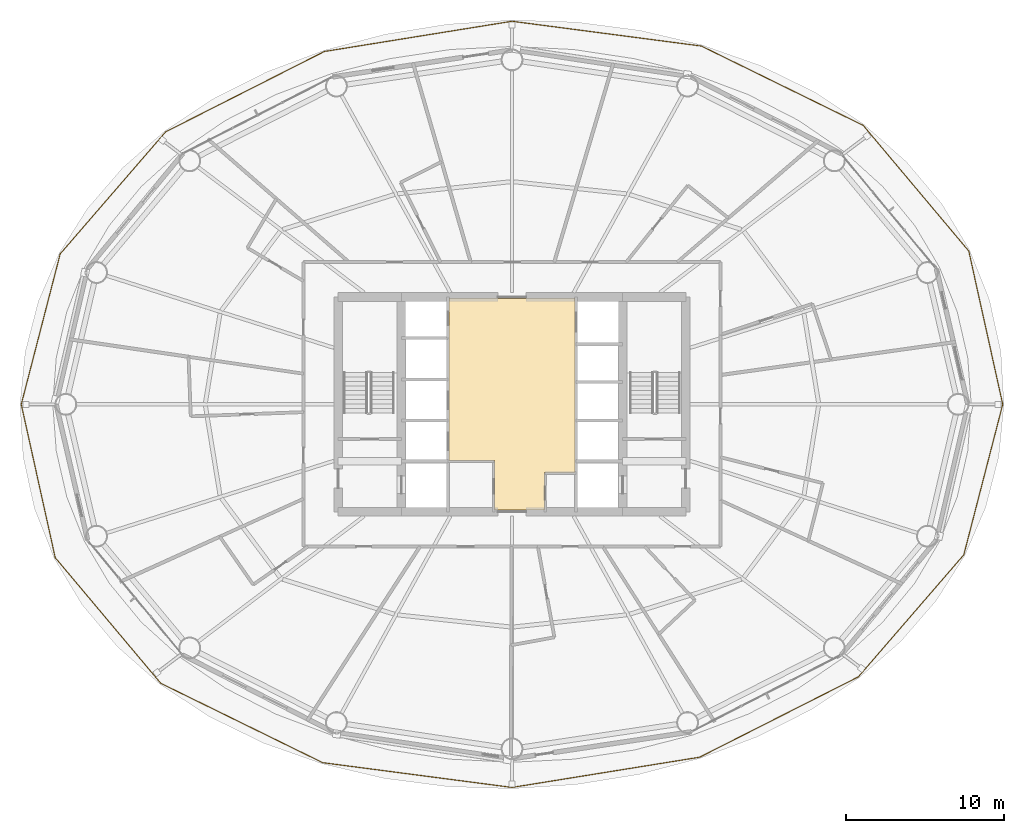
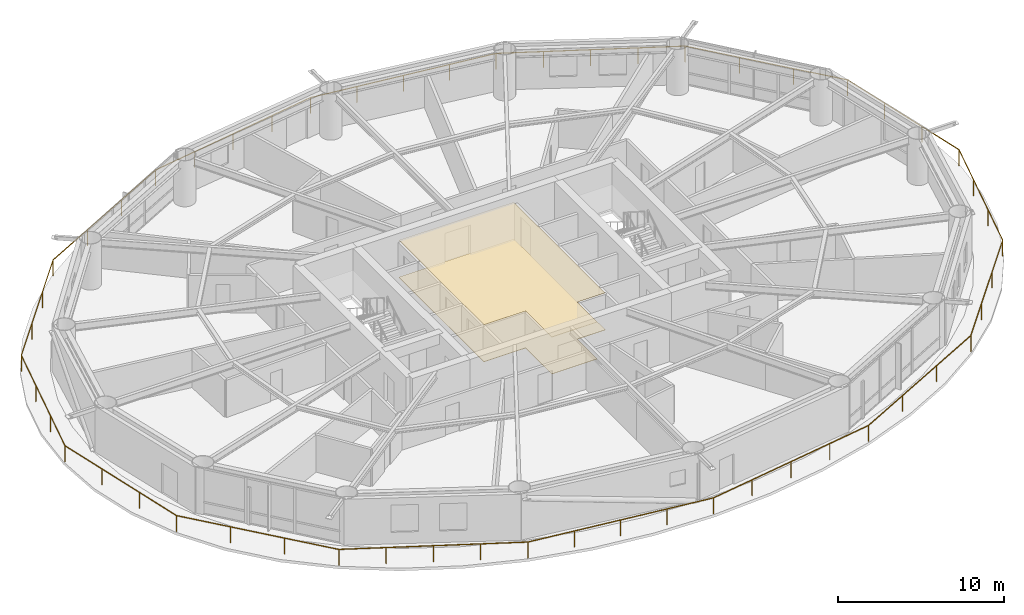
# One storey, part 23 of 24: 2 coverings, 1 railing.
"""IFC4 building model written with IfcOpenShell, lengths in metres."""

from ifc_helpers import new_model, si_unit, direction, frame, origin, origin_2d, place, context, subcontext, project, spatial, polyline, rectangle, outline, extrude, material, layer, layer_set, type_object, element, save


model = new_model("IFC4")

# Units and contexts
model_context = context("Model", 3, precision=1e-05, world=origin(), true_north=direction((0.0, 1.0)))
body_context = subcontext(model_context, "Body", "Model", "MODEL_VIEW")
ifc_project = project(units=[si_unit("LENGTHUNIT", "METRE"), si_unit("AREAUNIT", "SQUARE_METRE"), si_unit("VOLUMEUNIT", "CUBIC_METRE"), si_unit("PLANEANGLEUNIT", "RADIAN"), si_unit("MASSUNIT", "GRAM", prefix="KILO")], contexts=[model_context])

# Site, building, storey
site_placement = place(None, origin())
site = spatial("IfcSite", under=ifc_project, at=site_placement, CompositionType="ELEMENT")
building_placement = place(site_placement, origin())
building = spatial("IfcBuilding", under=site, at=building_placement, Name="Sarneth Arch Tower", CompositionType="ELEMENT")
storey_placement = place(building_placement, frame((0.0, 0.0, 123.60009765625)))
storey = spatial("IfcBuildingStorey", under=building, at=storey_placement, Name="L31", CompositionType="ELEMENT", Elevation=123.60009765625)

# Coverings
ifc_material_1 = material(Name="Perforated acoustic gypsum ceiling board")
ifc_layer_1 = layer(ifc_material_1, 0.02490234375)
ifc_layer_set_1 = layer_set([ifc_layer_1], Name="Perforated acoustic gypsum ceiling board")
covering_type_1 = type_object("IfcCoveringType", Name="COV-CEIL-GYP", PredefinedType="CEILING", material=ifc_layer_set_1)
covering_1_placement = place(storey_placement, frame((0.0, 0.0, 2.7099609375)))
element("IfcCovering", 1, at=covering_1_placement, inside=storey, type_object=covering_type_1, Name="L31 Lift lobby acoustic ceiling", PredefinedType="CEILING", context=body_context, shape_type="SweptSolid", body=[
    extrude(outline(polyline([(52.0, 37.699951171875), (50.050048828125, 37.699951171875), (50.050048828125, 35.300048828125), (46.89990234375, 35.300048828125), (46.89990234375, 38.449951171875), (44.0, 38.449951171875), (44.0, 48.699951171875), (52.0, 48.699951171875), (52.0, 37.699951171875)])), origin(), (0.0, 0.0, 1.0), 0.030029296875),
])
ifc_material_2 = material(Name="Honed granite stone flooring", Category="masonry")
ifc_layer_2 = layer(ifc_material_2, 0.030029296875)
ifc_layer_set_2 = layer_set([ifc_layer_2], Name="Honed granite stone flooring")
covering_type_2 = type_object("IfcCoveringType", Name="COV-FLR-STONE", PredefinedType="FLOORING", material=ifc_layer_set_2)
covering_2_placement = place(storey_placement, origin())
element("IfcCovering", 2, at=covering_2_placement, inside=storey, type_object=covering_type_2, Name="L31 Lift lobby granite flooring", PredefinedType="FLOORING", context=body_context, shape_type="SweptSolid", body=[
    extrude(outline(polyline([(52.0, 37.699951171875), (50.050048828125, 37.699951171875), (50.050048828125, 35.300048828125), (46.89990234375, 35.300048828125), (46.89990234375, 38.449951171875), (44.0, 38.449951171875), (44.0, 48.699951171875), (52.0, 48.699951171875), (52.0, 37.699951171875)])), origin(), (0.0, 0.0, 1.0), 0.02978515625),
])

# Railing
ifc_material_3 = material(Name="Laminated structural glass infill with Stainless Steel 316 top rail and posts", Category="steel")
railing_type = type_object("IfcRailingType", Name="RAIL-BALC-1200", PredefinedType="BALUSTRADE", material=ifc_material_3)
railing_placement = place(storey_placement, frame((79.057861328125, 42.0, 0.0)))
element("IfcRailing", 3, at=railing_placement, inside=storey, type_object=railing_type, Name="L31 Helical balcony glass balustrade", PredefinedType="BALUSTRADE", context=body_context, shape_type="SweptSolid", body=[
    extrude(rectangle(XDim=0.048095703125, YDim=0.048095703125, at=origin_2d()), frame((0.0, 0.0, 1.17578125), z_axis=(-0.21624870113, 0.976338311888, 0.0), x_axis=(-0.976338311888, -0.21624870113, 0.0)), (0.0, 0.0, 1.0), 9.93505859375),
    extrude(rectangle(XDim=0.048095703125, YDim=0.048095703125, at=origin_2d()), frame((-2.1484375, 9.699951171875, 1.17578125), z_axis=(-0.643170592298, 0.765722919341, 0.0), x_axis=(-0.765722919341, -0.643170592298, 0.0)), (0.0, 0.0, 1.0), 10.388916015625),
    extrude(rectangle(XDim=0.048095703125, YDim=0.048095703125, at=origin_2d()), frame((-8.830322265625, 17.655029296875, 1.17578125), z_axis=(-0.897909444668, 0.440180223518, 0.0), x_axis=(-0.440180223518, -0.897909444668, 0.0)), (0.0, 0.0, 1.0), 11.40771484375),
    extrude(rectangle(XDim=0.048095703125, YDim=0.048095703125, at=origin_2d()), frame((-19.073486328125, 22.676513671875, 1.17578125), z_axis=(-0.9915453554, 0.129760580245, 0.0), x_axis=(-0.129760580245, -0.9915453554, 0.0)), (0.0, 0.0, 1.0), 12.086669921875),
    extrude(rectangle(XDim=0.048095703125, YDim=0.048095703125, at=origin_2d()), frame((-31.057861328125, 24.244873046875, 1.17578125), z_axis=(-0.987259639436, -0.15911758024, 0.0), x_axis=(0.15911758024, -0.987259639436, 0.0)), (0.0, 0.0, 1.0), 12.029296875),
    extrude(rectangle(XDim=0.048095703125, YDim=0.048095703125, at=origin_2d()), frame((-42.933837890625, 22.330810546875, 1.17578125), z_axis=(-0.892173531232, -0.451692805088, 0.0), x_axis=(0.451692805088, -0.892173531232, 0.0)), (0.0, 0.0, 1.0), 11.257568359375),
    extrude(rectangle(XDim=0.048095703125, YDim=0.048095703125, at=origin_2d()), frame((-52.9775390625, 17.245849609375, 1.17578125), z_axis=(-0.653857114721, -0.756618049963, 0.0), x_axis=(0.756618049963, -0.653857114721, 0.0)), (0.0, 0.0, 1.0), 10.20654296875),
    extrude(rectangle(XDim=0.048095703125, YDim=0.048095703125, at=origin_2d()), frame((-59.651123046875, 9.5234375, 1.17578125), z_axis=(-0.250539237364, -0.968106445873, 0.0), x_axis=(0.968106445873, -0.250539237364, 0.0)), (0.0, 0.0, 1.0), 9.837158203125),
    extrude(rectangle(XDim=0.048095703125, YDim=0.048095703125, at=origin_2d()), frame((-62.11572265625, 0.0, 1.17578125), z_axis=(0.21624870113, -0.976338311888, 0.0), x_axis=(0.976338311888, 0.21624870113, 0.0)), (0.0, 0.0, 1.0), 9.93505859375),
    extrude(rectangle(XDim=0.048095703125, YDim=0.048095703125, at=origin_2d()), frame((-59.96728515625, -9.699951171875, 1.17578125), z_axis=(0.643170592298, -0.765722919341, 0.0), x_axis=(0.765722919341, 0.643170592298, 0.0)), (0.0, 0.0, 1.0), 10.388916015625),
    extrude(rectangle(XDim=0.048095703125, YDim=0.048095703125, at=origin_2d()), frame((-53.285400390625, -17.655029296875, 1.17578125), z_axis=(0.897909444668, -0.440180223518, 0.0), x_axis=(0.440180223518, 0.897909444668, 0.0)), (0.0, 0.0, 1.0), 11.40771484375),
    extrude(rectangle(XDim=0.048095703125, YDim=0.048095703125, at=origin_2d()), frame((-43.042236328125, -22.676513671875, 1.17578125), z_axis=(0.9915453554, -0.129760580245, 0.0), x_axis=(0.129760580245, 0.9915453554, 0.0)), (0.0, 0.0, 1.0), 12.086669921875),
    extrude(rectangle(XDim=0.048095703125, YDim=0.048095703125, at=origin_2d()), frame((-31.057861328125, -24.244873046875, 1.17578125), z_axis=(0.987259639436, 0.15911758024, 0.0), x_axis=(-0.15911758024, 0.987259639436, 0.0)), (0.0, 0.0, 1.0), 12.029296875),
    extrude(rectangle(XDim=0.048095703125, YDim=0.048095703125, at=origin_2d()), frame((-19.181884765625, -22.330810546875, 1.17578125), z_axis=(0.892173531232, 0.451692805088, 0.0), x_axis=(-0.451692805088, 0.892173531232, 0.0)), (0.0, 0.0, 1.0), 11.257568359375),
    extrude(rectangle(XDim=0.048095703125, YDim=0.048095703125, at=origin_2d()), frame((-9.13818359375, -17.245849609375, 1.17578125), z_axis=(0.653857114721, 0.756618049963, 0.0), x_axis=(-0.756618049963, 0.653857114721, 0.0)), (0.0, 0.0, 1.0), 10.20654296875),
    extrude(rectangle(XDim=0.048095703125, YDim=0.048095703125, at=origin_2d()), frame((-2.464599609375, -9.5234375, 1.17578125), z_axis=(0.250539237364, 0.968106445873, 0.0), x_axis=(-0.968106445873, 0.250539237364, 0.0)), (0.0, 0.0, 1.0), 9.837158203125),
    extrude(rectangle(XDim=0.0419921875, YDim=0.0419921875, at=origin_2d()), origin(), (0.0, 0.0, 1.0), 1.15185546875),
    extrude(rectangle(XDim=0.0419921875, YDim=0.0419921875, at=origin_2d()), frame((-0.716064453125, 3.2333984375, 0.0)), (0.0, 0.0, 1.0), 1.15185546875),
    extrude(rectangle(XDim=0.0419921875, YDim=0.0419921875, at=origin_2d()), frame((-1.432373046875, 6.466552734375, 0.0)), (0.0, 0.0, 1.0), 1.15185546875),
    extrude(rectangle(XDim=0.0419921875, YDim=0.0419921875, at=origin_2d()), frame((-2.1484375, 9.699951171875, 0.0)), (0.0, 0.0, 1.0), 1.15185546875),
    extrude(rectangle(XDim=0.0419921875, YDim=0.0419921875, at=origin_2d()), frame((-4.375732421875, 12.3515625, 0.0)), (0.0, 0.0, 1.0), 1.15185546875),
    extrude(rectangle(XDim=0.0419921875, YDim=0.0419921875, at=origin_2d()), frame((-6.60302734375, 15.00341796875, 0.0)), (0.0, 0.0, 1.0), 1.15185546875),
    extrude(rectangle(XDim=0.0419921875, YDim=0.0419921875, at=origin_2d()), frame((-8.830322265625, 17.655029296875, 0.0)), (0.0, 0.0, 1.0), 1.15185546875),
    extrude(rectangle(XDim=0.0419921875, YDim=0.0419921875, at=origin_2d()), frame((-11.39111328125, 18.910400390625, 0.0)), (0.0, 0.0, 1.0), 1.15185546875),
    extrude(rectangle(XDim=0.0419921875, YDim=0.0419921875, at=origin_2d()), frame((-13.951904296875, 20.165771484375, 0.0)), (0.0, 0.0, 1.0), 1.15185546875),
    extrude(rectangle(XDim=0.0419921875, YDim=0.0419921875, at=origin_2d()), frame((-16.5126953125, 21.421142578125, 0.0)), (0.0, 0.0, 1.0), 1.15185546875),
    extrude(rectangle(XDim=0.0419921875, YDim=0.0419921875, at=origin_2d()), frame((-19.073486328125, 22.676513671875, 0.0)), (0.0, 0.0, 1.0), 1.15185546875),
    extrude(rectangle(XDim=0.0419921875, YDim=0.0419921875, at=origin_2d()), frame((-22.069580078125, 23.068603515625, 0.0)), (0.0, 0.0, 1.0), 1.15185546875),
    extrude(rectangle(XDim=0.0419921875, YDim=0.0419921875, at=origin_2d()), frame((-25.065673828125, 23.460693359375, 0.0)), (0.0, 0.0, 1.0), 1.15185546875),
    extrude(rectangle(XDim=0.0419921875, YDim=0.0419921875, at=origin_2d()), frame((-28.061767578125, 23.852783203125, 0.0)), (0.0, 0.0, 1.0), 1.15185546875),
    extrude(rectangle(XDim=0.0419921875, YDim=0.0419921875, at=origin_2d()), frame((-31.057861328125, 24.244873046875, 0.0)), (0.0, 0.0, 1.0), 1.15185546875),
    extrude(rectangle(XDim=0.0419921875, YDim=0.0419921875, at=origin_2d()), frame((-34.02685546875, 23.766357421875, 0.0)), (0.0, 0.0, 1.0), 1.15185546875),
    extrude(rectangle(XDim=0.0419921875, YDim=0.0419921875, at=origin_2d()), frame((-36.995849609375, 23.287841796875, 0.0)), (0.0, 0.0, 1.0), 1.15185546875),
    extrude(rectangle(XDim=0.0419921875, YDim=0.0419921875, at=origin_2d()), frame((-39.96484375, 22.809326171875, 0.0)), (0.0, 0.0, 1.0), 1.15185546875),
    extrude(rectangle(XDim=0.0419921875, YDim=0.0419921875, at=origin_2d()), frame((-42.933837890625, 22.330810546875, 0.0)), (0.0, 0.0, 1.0), 1.15185546875),
    extrude(rectangle(XDim=0.0419921875, YDim=0.0419921875, at=origin_2d()), frame((-46.28173828125, 20.6357421875, 0.0)), (0.0, 0.0, 1.0), 1.15185546875),
    extrude(rectangle(XDim=0.0419921875, YDim=0.0419921875, at=origin_2d()), frame((-49.629638671875, 18.94091796875, 0.0)), (0.0, 0.0, 1.0), 1.15185546875),
    extrude(rectangle(XDim=0.0419921875, YDim=0.0419921875, at=origin_2d()), frame((-52.9775390625, 17.245849609375, 0.0)), (0.0, 0.0, 1.0), 1.15185546875),
    extrude(rectangle(XDim=0.0419921875, YDim=0.0419921875, at=origin_2d()), frame((-55.2021484375, 14.671630859375, 0.0)), (0.0, 0.0, 1.0), 1.15185546875),
    extrude(rectangle(XDim=0.0419921875, YDim=0.0419921875, at=origin_2d()), frame((-57.426513671875, 12.09765625, 0.0)), (0.0, 0.0, 1.0), 1.15185546875),
    extrude(rectangle(XDim=0.0419921875, YDim=0.0419921875, at=origin_2d()), frame((-59.651123046875, 9.5234375, 0.0)), (0.0, 0.0, 1.0), 1.15185546875),
    extrude(rectangle(XDim=0.0419921875, YDim=0.0419921875, at=origin_2d()), frame((-60.47265625, 6.348876953125, 0.0)), (0.0, 0.0, 1.0), 1.15185546875),
    extrude(rectangle(XDim=0.0419921875, YDim=0.0419921875, at=origin_2d()), frame((-61.294189453125, 3.174560546875, 0.0)), (0.0, 0.0, 1.0), 1.15185546875),
    extrude(rectangle(XDim=0.0419921875, YDim=0.0419921875, at=origin_2d()), frame((-62.11572265625, 0.0, 0.0)), (0.0, 0.0, 1.0), 1.15185546875),
    extrude(rectangle(XDim=0.0419921875, YDim=0.0419921875, at=origin_2d()), frame((-61.399658203125, -3.2333984375, 0.0)), (0.0, 0.0, 1.0), 1.15185546875),
    extrude(rectangle(XDim=0.0419921875, YDim=0.0419921875, at=origin_2d()), frame((-60.683349609375, -6.466552734375, 0.0)), (0.0, 0.0, 1.0), 1.15185546875),
    extrude(rectangle(XDim=0.0419921875, YDim=0.0419921875, at=origin_2d()), frame((-59.96728515625, -9.699951171875, 0.0)), (0.0, 0.0, 1.0), 1.15185546875),
    extrude(rectangle(XDim=0.0419921875, YDim=0.0419921875, at=origin_2d()), frame((-57.739990234375, -12.3515625, 0.0)), (0.0, 0.0, 1.0), 1.15185546875),
    extrude(rectangle(XDim=0.0419921875, YDim=0.0419921875, at=origin_2d()), frame((-55.5126953125, -15.00341796875, 0.0)), (0.0, 0.0, 1.0), 1.15185546875),
    extrude(rectangle(XDim=0.0419921875, YDim=0.0419921875, at=origin_2d()), frame((-53.285400390625, -17.655029296875, 0.0)), (0.0, 0.0, 1.0), 1.15185546875),
    extrude(rectangle(XDim=0.0419921875, YDim=0.0419921875, at=origin_2d()), frame((-50.724609375, -18.910400390625, 0.0)), (0.0, 0.0, 1.0), 1.15185546875),
    extrude(rectangle(XDim=0.0419921875, YDim=0.0419921875, at=origin_2d()), frame((-48.163818359375, -20.165771484375, 0.0)), (0.0, 0.0, 1.0), 1.15185546875),
    extrude(rectangle(XDim=0.0419921875, YDim=0.0419921875, at=origin_2d()), frame((-45.60302734375, -21.421142578125, 0.0)), (0.0, 0.0, 1.0), 1.15185546875),
    extrude(rectangle(XDim=0.0419921875, YDim=0.0419921875, at=origin_2d()), frame((-43.042236328125, -22.676513671875, 0.0)), (0.0, 0.0, 1.0), 1.15185546875),
    extrude(rectangle(XDim=0.0419921875, YDim=0.0419921875, at=origin_2d()), frame((-40.046142578125, -23.068603515625, 0.0)), (0.0, 0.0, 1.0), 1.15185546875),
    extrude(rectangle(XDim=0.0419921875, YDim=0.0419921875, at=origin_2d()), frame((-37.050048828125, -23.460693359375, 0.0)), (0.0, 0.0, 1.0), 1.15185546875),
    extrude(rectangle(XDim=0.0419921875, YDim=0.0419921875, at=origin_2d()), frame((-34.053955078125, -23.852783203125, 0.0)), (0.0, 0.0, 1.0), 1.15185546875),
    extrude(rectangle(XDim=0.0419921875, YDim=0.0419921875, at=origin_2d()), frame((-31.057861328125, -24.244873046875, 0.0)), (0.0, 0.0, 1.0), 1.15185546875),
    extrude(rectangle(XDim=0.0419921875, YDim=0.0419921875, at=origin_2d()), frame((-28.0888671875, -23.766357421875, 0.0)), (0.0, 0.0, 1.0), 1.15185546875),
    extrude(rectangle(XDim=0.0419921875, YDim=0.0419921875, at=origin_2d()), frame((-25.119873046875, -23.287841796875, 0.0)), (0.0, 0.0, 1.0), 1.15185546875),
    extrude(rectangle(XDim=0.0419921875, YDim=0.0419921875, at=origin_2d()), frame((-22.15087890625, -22.809326171875, 0.0)), (0.0, 0.0, 1.0), 1.15185546875),
    extrude(rectangle(XDim=0.0419921875, YDim=0.0419921875, at=origin_2d()), frame((-19.181884765625, -22.330810546875, 0.0)), (0.0, 0.0, 1.0), 1.15185546875),
    extrude(rectangle(XDim=0.0419921875, YDim=0.0419921875, at=origin_2d()), frame((-15.833984375, -20.6357421875, 0.0)), (0.0, 0.0, 1.0), 1.15185546875),
    extrude(rectangle(XDim=0.0419921875, YDim=0.0419921875, at=origin_2d()), frame((-12.486083984375, -18.94091796875, 0.0)), (0.0, 0.0, 1.0), 1.15185546875),
    extrude(rectangle(XDim=0.0419921875, YDim=0.0419921875, at=origin_2d()), frame((-9.13818359375, -17.245849609375, 0.0)), (0.0, 0.0, 1.0), 1.15185546875),
    extrude(rectangle(XDim=0.0419921875, YDim=0.0419921875, at=origin_2d()), frame((-6.91357421875, -14.671630859375, 0.0)), (0.0, 0.0, 1.0), 1.15185546875),
    extrude(rectangle(XDim=0.0419921875, YDim=0.0419921875, at=origin_2d()), frame((-4.689208984375, -12.09765625, 0.0)), (0.0, 0.0, 1.0), 1.15185546875),
    extrude(rectangle(XDim=0.0419921875, YDim=0.0419921875, at=origin_2d()), frame((-2.464599609375, -9.5234375, 0.0)), (0.0, 0.0, 1.0), 1.15185546875),
    extrude(rectangle(XDim=0.0419921875, YDim=0.0419921875, at=origin_2d()), frame((-1.64306640625, -6.348876953125, 0.0)), (0.0, 0.0, 1.0), 1.15185546875),
    extrude(rectangle(XDim=0.0419921875, YDim=0.0419921875, at=origin_2d()), frame((-0.821533203125, -3.174560546875, 0.0)), (0.0, 0.0, 1.0), 1.15185546875),
])

save(model, "model.ifc")
